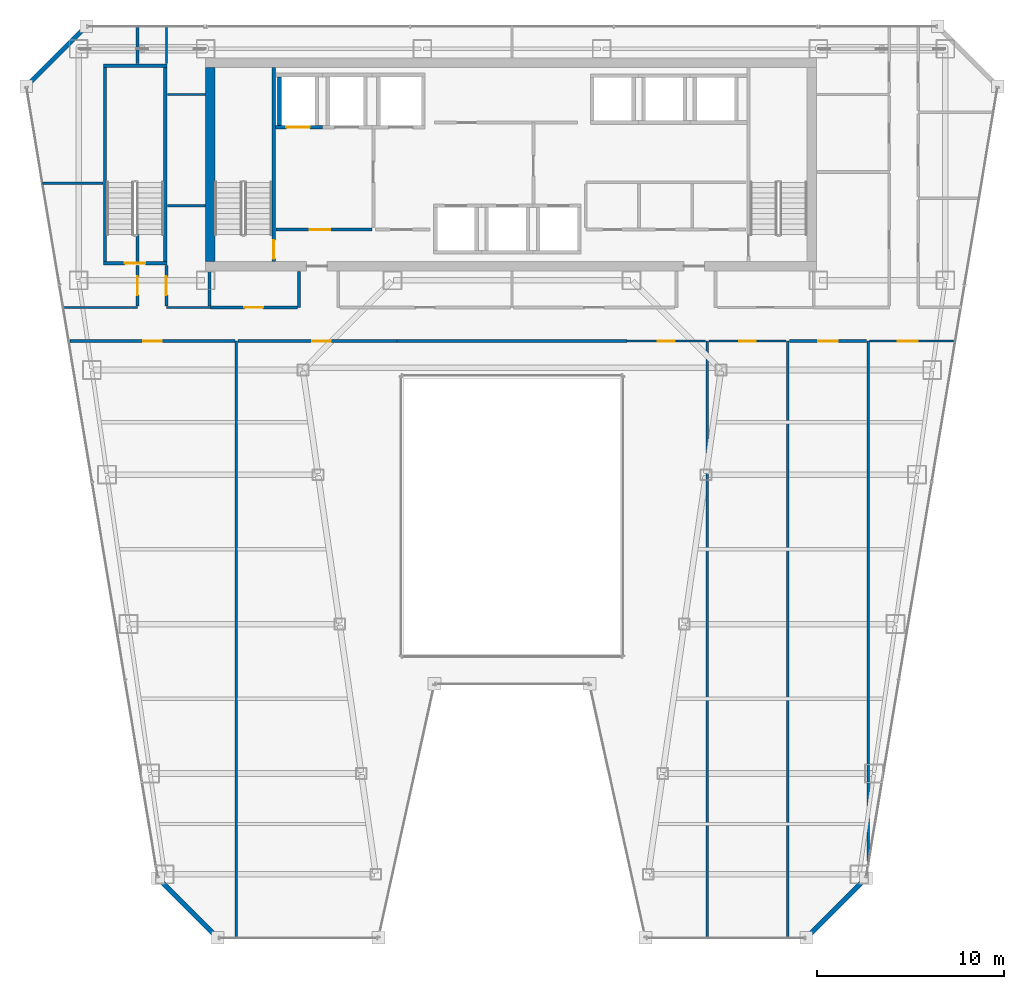
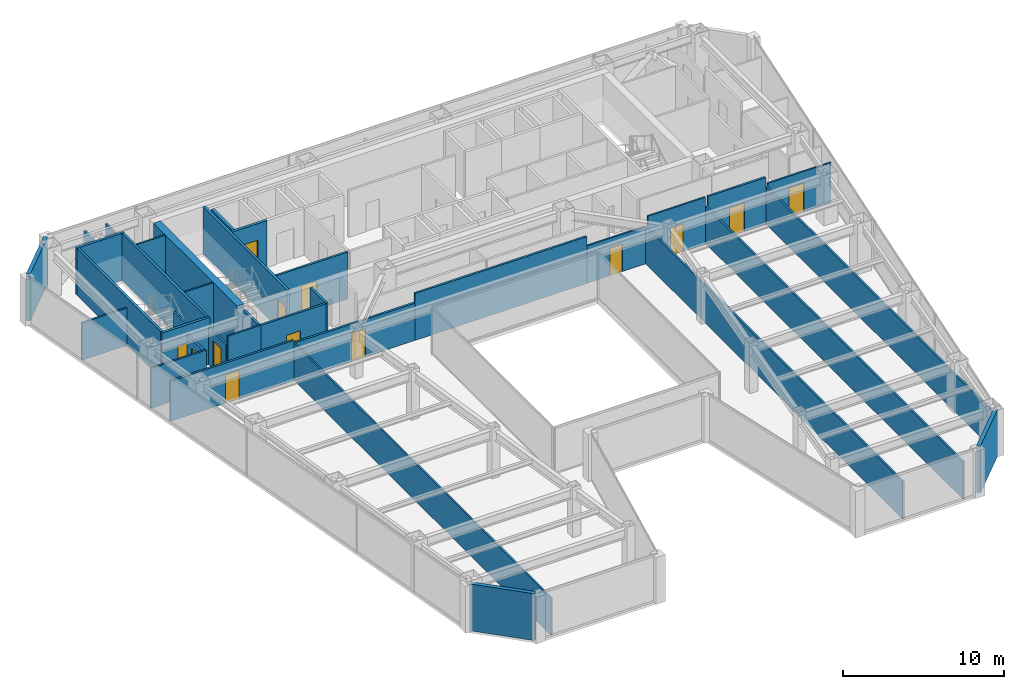
# One storey, part 31 of 37: 36 walls, 13 doors, 13 openings.
"""IFC4 building model written with IfcOpenShell, lengths in metres."""

from ifc_helpers import new_model, si_unit, direction, frame, frame_2d, origin, place, context, subcontext, project, spatial, rectangle, extrude, material, layer, layer_set, type_object, element, fill, save


model = new_model("IFC4")

# Units and contexts
model_context = context("Model", 3, precision=1e-05, world=origin(), true_north=direction((0.0, 1.0)))
body_context = subcontext(model_context, "Body", "Model", "MODEL_VIEW")
ifc_project = project(units=[si_unit("LENGTHUNIT", "METRE"), si_unit("AREAUNIT", "SQUARE_METRE"), si_unit("VOLUMEUNIT", "CUBIC_METRE"), si_unit("PLANEANGLEUNIT", "RADIAN"), si_unit("MASSUNIT", "GRAM", prefix="KILO")], contexts=[model_context])

# Site, building, storey
site_placement = place(None, origin())
site = spatial("IfcSite", under=ifc_project, at=site_placement, CompositionType="ELEMENT")
building_placement = place(site_placement, origin())
building = spatial("IfcBuilding", under=site, at=building_placement, Name="Saevonmaru Cultural Tower", CompositionType="ELEMENT")
storey_placement = place(building_placement, frame((0.0, 0.0, 144.800048828125)))
storey = spatial("IfcBuildingStorey", under=building, at=storey_placement, Name="L31", CompositionType="ELEMENT", Elevation=144.800048828125)

# Wall
ifc_material_1 = material(Name="Concrete C60/75", Category="concrete")
ifc_layer_1 = layer(ifc_material_1, 0.5, Name="Concrete C60/75")
ifc_layer_set_1 = layer_set([ifc_layer_1], Name="Concrete C60/75")
wall_type_1 = type_object("IfcWallType", Name="WL-CORE-500", PredefinedType="SHEAR", material=ifc_layer_set_1)
wall_1_placement = place(storey_placement, frame((13.85009765625, 43.39990234375, 0.0), z_axis=(0.0, 0.0, 1.0), x_axis=(0.0, 1.0, 0.0)))
element("IfcWall", 1, at=wall_1_placement, inside=storey, type_object=wall_type_1, Name="L31 Tower RC core shear wall W", PredefinedType="SHEAR", context=body_context, shape_type="SweptSolid", body=[
    extrude(rectangle(XDim=10.400146484375, YDim=0.5, at=frame_2d((5.2001953125, 0.0))), origin(), (0.0, 0.0, 1.0), 3.550048828125),
])

# Wall, opening, door
ifc_material_2 = material(Name="Gypsum Fireboard Partition", Category="gypsum")
ifc_layer_2 = layer(ifc_material_2, 0.14990234375, Name="Gypsum Fireboard Partition")
ifc_layer_set_2 = layer_set([ifc_layer_2], Name="Gypsum Fireboard Partition")
wall_type_2 = type_object("IfcWallType", Name="WL-CORE-PART-150", PredefinedType="PARTITIONING", material=ifc_layer_set_2)
wall_2_placement = place(storey_placement, frame((17.360107421875, 45.1201171875, 0.0), z_axis=(0.0, 0.0, 1.0), x_axis=(1.0, 0.0, 0.0)))
wall_2 = element("IfcWall", 2, at=wall_2_placement, inside=storey, type_object=wall_type_2, Name="L31 Firefighting Lift Lobby South Wall", PredefinedType="PARTITIONING", context=body_context, shape_type="SweptSolid", body=[
    extrude(rectangle(XDim=5.139892578125, YDim=0.14990234375, at=frame_2d((2.56982421875, 0.0))), origin(), (0.0, 0.0, 1.0), 3.550048828125),
])
opening_1_placement = place(wall_2_placement, frame((1.800048828125, 0.0, 0.0)))
opening_1 = element("IfcOpeningElement", 3, at=opening_1_placement, cuts=wall_2, Name="Opening FD-2", PredefinedType="OPENING", context=body_context, shape_type="SweptSolid", body=[
    extrude(rectangle(XDim=1.10009765625, YDim=2.14990234375, at=frame_2d((0.550048828125, 1.074951171875))), frame((0.0, 0.0849609375, 0.0), z_axis=(0.0, -1.0, 0.0), x_axis=(1.0, 0.0, 0.0)), (0.0, 0.0, 1.0), 0.169921875),
])
ifc_material_3 = material(Name="Satin Bronze Anodised Aluminium", Category="aluminium")
door_type_1 = type_object("IfcDoorType", Name="DR-FD60-1100", OperationType="SINGLE_SWING_LEFT", PredefinedType="DOOR", material=ifc_material_3)
door_1_placement = place(opening_1_placement, origin())
door_1 = element("IfcDoor", 4, at=door_1_placement, inside=storey, type_object=door_type_1, Name="L31 Firefighting Lift Lobby South Door", OperationType="SINGLE_SWING_LEFT", OverallHeight=2.14990234375, OverallWidth=1.10009765625, PredefinedType="DOOR", context=body_context, shape_type="SweptSolid", body=[
    extrude(rectangle(XDim=1.10009765625, YDim=2.14990234375, at=frame_2d((0.550048828125, 1.074951171875))), frame((0.0, 0.02490234375, 0.0), z_axis=(0.0, -1.0, 0.0), x_axis=(1.0, 0.0, 0.0)), (0.0, 0.0, 1.0), 0.050048828125),
])
fill(opening_1, door_1)

# Walls
ifc_material_4 = material(Name="Granite-Clad Precast Concrete C40/50", Category="masonry")
ifc_layer_3 = layer(ifc_material_4, 0.260009765625, Name="Granite-Clad Precast Concrete C40/50")
ifc_layer_set_3 = layer_set([ifc_layer_3], Name="Granite-Clad Precast Concrete C40/50")
wall_type_3 = type_object("IfcWallType", Name="WL-EXT-SPANDREL-260", PredefinedType="STANDARD", material=ifc_layer_set_3)
for number, where, z_axis, x_axis, name in (
    (5, (11.162109375, 10.286865234375, 0.0), (0.0, 0.0, 1.0), (0.70707775441, -0.707135806771, 0.0), "L31 Chamfer Corner Spandrel Wall E1"),
    (6, (45.8642578125, 7.31298828125, 0.0), (0.0, 0.0, 1.0), (0.70707775441, 0.707135806771, 0.0), "L31 Chamfer Corner Spandrel Wall E7"),
):
    element("IfcWall", number, at=place(storey_placement, frame(where, z_axis=z_axis, x_axis=x_axis)), inside=storey, type_object=wall_type_3, Name=name, PredefinedType="STANDARD", context=body_context, shape_type="SweptSolid", body=[
        extrude(rectangle(XDim=4.20556640625, YDim=0.260009765625, at=frame_2d((2.102783203125, 0.0))), origin(), (0.0, 0.0, 1.0), 3.550048828125),
    ])
wall_3_placement = place(storey_placement, frame((7.0869140625, 55.886962890625, 0.0), z_axis=(0.0, 0.0, 1.0), x_axis=(-0.707106781187, -0.707106781187, 0.0)))
element("IfcWall", 7, at=wall_3_placement, inside=storey, type_object=wall_type_3, Name="L31 Chamfer Corner Spandrel Wall E11", PredefinedType="STANDARD", context=body_context, shape_type="SweptSolid", body=[
    extrude(rectangle(XDim=4.205810546875, YDim=0.260009765625, at=frame_2d((2.10302734375, 0.0))), origin(), (0.0, 0.0, 1.0), 3.550048828125),
])

# Wall, opening, door
ifc_layer_4 = layer(ifc_material_2, 0.14990234375, Name="Gypsum Fireboard Partition")
ifc_layer_set_4 = layer_set([ifc_layer_4], Name="Gypsum Fireboard Partition")
wall_type_4 = type_object("IfcWallType", Name="WL-PART-FIRE-150", PredefinedType="PARTITIONING", material=ifc_layer_set_4)
wall_4_placement = place(storey_placement, frame((9.949951171875, 41.030029296875, 0.0), z_axis=(0.0, 0.0, 1.0), x_axis=(0.0, 1.0, 0.0)))
wall_4 = element("IfcWall", 8, at=wall_4_placement, inside=storey, type_object=wall_type_4, Name="L31 Acoustic Chamber Auditorium Corridor Wall", PredefinedType="PARTITIONING", context=body_context, shape_type="SweptSolid", body=[
    extrude(rectangle(XDim=2.169921875, YDim=0.14990234375, at=frame_2d((1.0849609375, 0.0))), origin(), (0.0, 0.0, 1.0), 2.8349609375),
])
opening_2_placement = place(wall_4_placement, frame((0.5849609375, 0.0, 0.0)))
opening_2 = element("IfcOpeningElement", 9, at=opening_2_placement, cuts=wall_4, Name="Opening ID-1B", PredefinedType="OPENING", context=body_context, shape_type="SweptSolid", body=[
    extrude(rectangle(XDim=1.0, YDim=2.14990234375, at=frame_2d((0.5, 1.074951171875))), frame((0.0, 0.0849609375, 0.0), z_axis=(0.0, -1.0, 0.0), x_axis=(1.0, 0.0, 0.0)), (0.0, 0.0, 1.0), 0.169921875),
])
ifc_material_5 = material(Name="Acoustic Stained Oak Timber", Category="wood")
door_type_2 = type_object("IfcDoorType", Name="DR-INT-1000", OperationType="SINGLE_SWING_RIGHT", PredefinedType="DOOR", material=ifc_material_5)
door_2_placement = place(opening_2_placement, origin())
door_2 = element("IfcDoor", 10, at=door_2_placement, inside=storey, type_object=door_type_2, Name="L31 Acoustic Chamber Auditorium Door", OperationType="SINGLE_SWING_LEFT", OverallHeight=2.14990234375, OverallWidth=1.0, PredefinedType="DOOR", context=body_context, shape_type="SweptSolid", body=[
    extrude(rectangle(XDim=1.0, YDim=2.14990234375, at=frame_2d((0.5, 1.074951171875))), frame((0.0, 0.02490234375, 0.0), z_axis=(0.0, -1.0, 0.0), x_axis=(1.0, 0.0, 0.0)), (0.0, 0.0, 1.0), 0.050048828125),
])
fill(opening_2, door_2)

# Walls
wall_5_placement = place(storey_placement, frame((9.949951171875, 43.419921875, 0.0), z_axis=(0.0, 0.0, 1.0), x_axis=(0.0, 1.0, 0.0)))
element("IfcWall", 11, at=wall_5_placement, inside=storey, type_object=wall_type_4, Name="L31 Acoustic Chamber Auditorium Corridor Wall (2)", PredefinedType="PARTITIONING", context=body_context, shape_type="SweptSolid", body=[
    extrude(rectangle(XDim=1.4501953125, YDim=0.14990234375, at=frame_2d((0.72509765625, 0.0))), origin(), (0.0, 0.0, 1.0), 3.550048828125),
])
wall_6_placement = place(storey_placement, frame((9.949951171875, 54.0, 0.0), z_axis=(0.0, 0.0, 1.0), x_axis=(0.0, 1.0, 0.0)))
element("IfcWall", 12, at=wall_6_placement, inside=storey, type_object=wall_type_4, Name="L31 Sound Art Screening Auditorium Corridor Wall", PredefinedType="PARTITIONING", context=body_context, shape_type="SweptSolid", body=[
    extrude(rectangle(XDim=1.9951171875, YDim=0.14990234375, at=frame_2d((0.99755859375, 0.0))), origin(), (0.0, 0.0, 1.0), 2.93505859375),
])

# Wall, opening, door
wall_7_placement = place(storey_placement, frame((11.5, 41.030029296875, 0.0), z_axis=(0.0, 0.0, 1.0), x_axis=(0.0, 1.0, 0.0)))
wall_7 = element("IfcWall", 13, at=wall_7_placement, inside=storey, type_object=wall_type_4, Name="L31 Sound Art Screening Auditorium Corridor Wall", PredefinedType="PARTITIONING", context=body_context, shape_type="SweptSolid", body=[
    extrude(rectangle(XDim=2.169921875, YDim=0.14990234375, at=frame_2d((1.0849609375, 0.0))), origin(), (0.0, 0.0, 1.0), 2.8349609375),
])
opening_3_placement = place(wall_7_placement, frame((0.5849609375, 0.0, 0.0)))
opening_3 = element("IfcOpeningElement", 14, at=opening_3_placement, cuts=wall_7, Name="Opening ID-1B", PredefinedType="OPENING", context=body_context, shape_type="SweptSolid", body=[
    extrude(rectangle(XDim=1.0, YDim=2.14990234375, at=frame_2d((0.5, 1.074951171875))), frame((0.0, 0.0849609375, 0.0), z_axis=(0.0, -1.0, 0.0), x_axis=(1.0, 0.0, 0.0)), (0.0, 0.0, 1.0), 0.169921875),
])
door_3_placement = place(opening_3_placement, origin())
door_3 = element("IfcDoor", 15, at=door_3_placement, inside=storey, type_object=door_type_2, Name="L31 Sound Art Screening Auditorium Door", OperationType="SINGLE_SWING_RIGHT", OverallHeight=2.14990234375, OverallWidth=1.0, PredefinedType="DOOR", context=body_context, shape_type="SweptSolid", body=[
    extrude(rectangle(XDim=1.0, YDim=2.14990234375, at=frame_2d((0.5, 1.074951171875))), frame((0.0, 0.02490234375, 0.0), z_axis=(0.0, -1.0, 0.0), x_axis=(1.0, 0.0, 0.0)), (0.0, 0.0, 1.0), 0.050048828125),
])
fill(opening_3, door_3)

# Walls
wall_8_placement = place(storey_placement, frame((13.800048828125, 41.030029296875, 0.0), z_axis=(0.0, 0.0, 1.0), x_axis=(0.0, 1.0, 0.0)))
element("IfcWall", 16, at=wall_8_placement, inside=storey, type_object=wall_type_4, Name="L31 Core Portal Side Wall W0", PredefinedType="PARTITIONING", context=body_context, shape_type="SweptSolid", body=[
    extrude(rectangle(XDim=1.849853515625, YDim=0.14990234375, at=frame_2d((0.9248046875, 0.0))), origin(), (0.0, 0.0, 1.0), 3.550048828125),
])
wall_9_placement = place(storey_placement, frame((18.60009765625, 40.949951171875, 0.0), z_axis=(0.0, 0.0, 1.0), x_axis=(0.0, 1.0, 0.0)))
element("IfcWall", 17, at=wall_9_placement, inside=storey, type_object=wall_type_4, Name="L31 Core Portal Side Wall W1", PredefinedType="PARTITIONING", context=body_context, shape_type="SweptSolid", body=[
    extrude(rectangle(XDim=1.929931640625, YDim=0.14990234375, at=frame_2d((0.96484375, 0.0))), origin(), (0.0, 0.0, 1.0), 3.550048828125),
])

# Wall, opening, door
wall_10_placement = place(storey_placement, frame((13.85009765625, 40.949951171875, 0.0), z_axis=(0.0, 0.0, 1.0), x_axis=(1.0, 0.0, 0.0)))
wall_10 = element("IfcWall", 18, at=wall_10_placement, inside=storey, type_object=wall_type_4, Name="L31 Acoustic Chamber Auditorium Corridor Wall", PredefinedType="PARTITIONING", context=body_context, shape_type="SweptSolid", body=[
    extrude(rectangle(XDim=4.65478515625, YDim=0.14990234375, at=frame_2d((2.327392578125, 0.0))), origin(), (0.0, 0.0, 1.0), 3.550048828125),
])
opening_4_placement = place(wall_10_placement, frame((1.826904296875, 0.0, 0.0)))
opening_4 = element("IfcOpeningElement", 19, at=opening_4_placement, cuts=wall_10, Name="Opening ID-1B", PredefinedType="OPENING", context=body_context, shape_type="SweptSolid", body=[
    extrude(rectangle(XDim=1.0, YDim=2.14990234375, at=frame_2d((0.5, 1.074951171875))), frame((0.0, 0.0849609375, 0.0), z_axis=(0.0, -1.0, 0.0), x_axis=(1.0, 0.0, 0.0)), (0.0, 0.0, 1.0), 0.169921875),
])
door_4_placement = place(opening_4_placement, origin())
door_4 = element("IfcDoor", 20, at=door_4_placement, inside=storey, type_object=door_type_2, Name="L31 Acoustic Chamber Auditorium Door", OperationType="SINGLE_SWING_RIGHT", OverallHeight=2.14990234375, OverallWidth=1.0, PredefinedType="DOOR", context=body_context, shape_type="SweptSolid", body=[
    extrude(rectangle(XDim=1.0, YDim=2.14990234375, at=frame_2d((0.5, 1.074951171875))), frame((0.0, 0.02490234375, 0.0), z_axis=(0.0, -1.0, 0.0), x_axis=(1.0, 0.0, 0.0)), (0.0, 0.0, 1.0), 0.050048828125),
])
fill(opening_4, door_4)

wall_11_placement = place(storey_placement, frame((6.333984375, 39.14990234375, 0.0), z_axis=(0.0, 0.0, 1.0), x_axis=(1.0, 0.0, 0.0)))
wall_11 = element("IfcWall", 21, at=wall_11_placement, inside=storey, type_object=wall_type_4, Name="L31 Acoustic Chamber Auditorium Corridor Wall", PredefinedType="PARTITIONING", context=body_context, shape_type="SweptSolid", body=[
    extrude(rectangle(XDim=8.825927734375, YDim=0.14990234375, at=frame_2d((4.4130859375, 0.0))), origin(), (0.0, 0.0, 1.0), 3.034912109375),
])
opening_5_placement = place(wall_11_placement, frame((3.9130859375, 0.0, 0.0)))
opening_5 = element("IfcOpeningElement", 22, at=opening_5_placement, cuts=wall_11, Name="Opening ID-1B", PredefinedType="OPENING", context=body_context, shape_type="SweptSolid", body=[
    extrude(rectangle(XDim=1.0, YDim=2.14990234375, at=frame_2d((0.5, 1.074951171875))), frame((0.0, 0.0849609375, 0.0), z_axis=(0.0, -1.0, 0.0), x_axis=(1.0, 0.0, 0.0)), (0.0, 0.0, 1.0), 0.169921875),
])
door_5_placement = place(opening_5_placement, origin())
door_5 = element("IfcDoor", 23, at=door_5_placement, inside=storey, type_object=door_type_2, Name="L31 Acoustic Chamber Auditorium Door", OperationType="SINGLE_SWING_RIGHT", OverallHeight=2.14990234375, OverallWidth=1.0, PredefinedType="DOOR", context=body_context, shape_type="SweptSolid", body=[
    extrude(rectangle(XDim=1.0, YDim=2.14990234375, at=frame_2d((0.5, 1.074951171875))), frame((0.0, 0.02490234375, 0.0), z_axis=(0.0, -1.0, 0.0), x_axis=(1.0, 0.0, 0.0)), (0.0, 0.0, 1.0), 0.050048828125),
])
fill(opening_5, door_5)

wall_12_placement = place(storey_placement, frame((15.320068359375, 39.14990234375, 0.0), z_axis=(0.0, 0.0, 1.0), x_axis=(1.0, 0.0, 0.0)))
wall_12 = element("IfcWall", 24, at=wall_12_placement, inside=storey, type_object=wall_type_4, Name="L31 Sound Art Screening Auditorium Corridor Wall", PredefinedType="PARTITIONING", context=body_context, shape_type="SweptSolid", body=[
    extrude(rectangle(XDim=8.530029296875, YDim=0.14990234375, at=frame_2d((4.26513671875, 0.0))), origin(), (0.0, 0.0, 1.0), 2.8349609375),
])
opening_6_placement = place(wall_12_placement, frame((3.985107421875, 0.0, 0.0)))
opening_6 = element("IfcOpeningElement", 25, at=opening_6_placement, cuts=wall_12, Name="Opening ID-1B", PredefinedType="OPENING", context=body_context, shape_type="SweptSolid", body=[
    extrude(rectangle(XDim=1.0, YDim=2.14990234375, at=frame_2d((0.5, 1.074951171875))), frame((0.0, 0.0849609375, 0.0), z_axis=(0.0, -1.0, 0.0), x_axis=(1.0, 0.0, 0.0)), (0.0, 0.0, 1.0), 0.169921875),
])
door_6_placement = place(opening_6_placement, origin())
door_6 = element("IfcDoor", 26, at=door_6_placement, inside=storey, type_object=door_type_2, Name="L31 Sound Art Screening Auditorium Door", OperationType="SINGLE_SWING_LEFT", OverallHeight=2.14990234375, OverallWidth=1.0, PredefinedType="DOOR", context=body_context, shape_type="SweptSolid", body=[
    extrude(rectangle(XDim=1.0, YDim=2.14990234375, at=frame_2d((0.5, 1.074951171875))), frame((0.0, 0.02490234375, 0.0), z_axis=(0.0, -1.0, 0.0), x_axis=(1.0, 0.0, 0.0)), (0.0, 0.0, 1.0), 0.050048828125),
])
fill(opening_6, door_6)

# Wall
wall_13_placement = place(storey_placement, frame((23.85009765625, 39.14990234375, 0.0), z_axis=(0.0, 0.0, 1.0), x_axis=(1.0, 0.0, 0.0)))
element("IfcWall", 27, at=wall_13_placement, inside=storey, type_object=wall_type_4, Name="L31 North Atrium Corridor Wall", PredefinedType="PARTITIONING", context=body_context, shape_type="SweptSolid", body=[
    extrude(rectangle(XDim=12.2998046875, YDim=0.14990234375, at=frame_2d((6.14990234375, 0.0))), origin(), (0.0, 0.0, 1.0), 3.550048828125),
])

# Wall, opening, door
wall_14_placement = place(storey_placement, frame((44.847412109375, 39.14990234375, 0.0), z_axis=(0.0, 0.0, 1.0), x_axis=(1.0, 0.0, 0.0)))
wall_14 = element("IfcWall", 28, at=wall_14_placement, inside=storey, type_object=wall_type_4, Name="L31 Sky Observatory Gallery Corridor Wall", PredefinedType="PARTITIONING", context=body_context, shape_type="SweptSolid", body=[
    extrude(rectangle(XDim=4.125, YDim=0.14990234375, at=frame_2d((2.0625, 0.0))), origin(), (0.0, 0.0, 1.0), 3.550048828125),
])
opening_7_placement = place(wall_14_placement, frame((1.5380859375, 0.0, 0.0)))
opening_7 = element("IfcOpeningElement", 29, at=opening_7_placement, cuts=wall_14, Name="Opening ID-1", PredefinedType="OPENING", context=body_context, shape_type="SweptSolid", body=[
    extrude(rectangle(XDim=1.050048828125, YDim=2.14990234375, at=frame_2d((0.52490234375, 1.074951171875))), frame((0.0, 0.0849609375, 0.0), z_axis=(0.0, -1.0, 0.0), x_axis=(1.0, 0.0, 0.0)), (0.0, 0.0, 1.0), 0.169921875),
])
door_type_3 = type_object("IfcDoorType", Name="DR-INT-1050", OperationType="SINGLE_SWING_LEFT", PredefinedType="DOOR", material=ifc_material_3)
door_7_placement = place(opening_7_placement, origin())
door_7 = element("IfcDoor", 30, at=door_7_placement, inside=storey, type_object=door_type_3, Name="L31 Sky Observatory Gallery Door", OperationType="SINGLE_SWING_RIGHT", OverallHeight=2.14990234375, OverallWidth=1.050048828125, PredefinedType="DOOR", context=body_context, shape_type="SweptSolid", body=[
    extrude(rectangle(XDim=1.050048828125, YDim=2.14990234375, at=frame_2d((0.52490234375, 1.074951171875))), frame((0.0, 0.02490234375, 0.0), z_axis=(0.0, -1.0, 0.0), x_axis=(1.0, 0.0, 0.0)), (0.0, 0.0, 1.0), 0.050048828125),
])
fill(opening_7, door_7)

# Walls
ifc_layer_5 = layer(ifc_material_2, 0.1201171875, Name="Gypsum Fireboard Partition")
ifc_layer_set_5 = layer_set([ifc_layer_5], Name="Gypsum Fireboard Partition")
wall_type_5 = type_object("IfcWallType", Name="WL-PART-GYP-120", PredefinedType="PARTITIONING", material=ifc_layer_set_5)
wall_15_placement = place(storey_placement, frame((5.97509765625, 40.949951171875, 0.0), z_axis=(0.0, 0.0, 1.0), x_axis=(1.0, 0.0, 0.0)))
element("IfcWall", 31, at=wall_15_placement, inside=storey, type_object=wall_type_5, Name="L31 NW Wing South Wall", PredefinedType="PARTITIONING", context=body_context, shape_type="SweptSolid", body=[
    extrude(rectangle(XDim=3.974853515625, YDim=0.1201171875, at=frame_2d((1.9873046875, 0.0))), origin(), (0.0, 0.0, 1.0), 3.034912109375),
])
wall_16_placement = place(storey_placement, frame((11.5, 40.949951171875, 0.0), z_axis=(0.0, 0.0, 1.0), x_axis=(1.0, 0.0, 0.0)))
element("IfcWall", 32, at=wall_16_placement, inside=storey, type_object=wall_type_5, Name="L31 NW Inner South Wall", PredefinedType="PARTITIONING", context=body_context, shape_type="SweptSolid", body=[
    extrude(rectangle(XDim=2.35009765625, YDim=0.1201171875, at=frame_2d((1.175048828125, 0.0))), origin(), (0.0, 0.0, 1.0), 3.550048828125),
])
wall_17_placement = place(storey_placement, frame((11.550048828125, 52.35009765625, 0.0), z_axis=(0.0, 0.0, 1.0), x_axis=(1.0, 0.0, 0.0)))
element("IfcWall", 33, at=wall_17_placement, inside=storey, type_object=wall_type_5, Name="L31 North-West Panorama South Wall", PredefinedType="PARTITIONING", context=body_context, shape_type="SweptSolid", body=[
    extrude(rectangle(XDim=2.030029296875, YDim=0.1201171875, at=frame_2d((1.01513671875, 0.0))), origin(), (0.0, 0.0, 1.0), 3.550048828125),
])
wall_18_placement = place(storey_placement, frame((11.5, 54.0, 0.0), z_axis=(0.0, 0.0, 1.0), x_axis=(0.0, 1.0, 0.0)))
element("IfcWall", 34, at=wall_18_placement, inside=storey, type_object=wall_type_5, Name="L31 Civic Policy Meeting Room Corridor Wall", PredefinedType="PARTITIONING", context=body_context, shape_type="SweptSolid", body=[
    extrude(rectangle(XDim=1.9951171875, YDim=0.1201171875, at=frame_2d((0.99755859375, 0.0))), origin(), (0.0, 0.0, 1.0), 2.93505859375),
])
wall_19_placement = place(storey_placement, frame((4.86962890625, 47.60009765625, 0.0), z_axis=(0.0, 0.0, 1.0), x_axis=(1.0, 0.0, 0.0)))
element("IfcWall", 35, at=wall_19_placement, inside=storey, type_object=wall_type_5, Name="L31 NW Studio Divider 1", PredefinedType="PARTITIONING", context=body_context, shape_type="SweptSolid", body=[
    extrude(rectangle(XDim=3.23046875, YDim=0.1201171875, at=frame_2d((1.615234375, 0.0))), origin(), (0.0, 0.0, 1.0), 2.8349609375),
])
wall_20_placement = place(storey_placement, frame((11.550048828125, 46.39990234375, 0.0), z_axis=(0.0, 0.0, 1.0), x_axis=(1.0, 0.0, 0.0)))
element("IfcWall", 36, at=wall_20_placement, inside=storey, type_object=wall_type_5, Name="L31 NW Inner Divider", PredefinedType="PARTITIONING", context=body_context, shape_type="SweptSolid", body=[
    extrude(rectangle(XDim=2.030029296875, YDim=0.1201171875, at=frame_2d((1.01513671875, 0.0))), origin(), (0.0, 0.0, 1.0), 3.550048828125),
])
wall_21_placement = place(storey_placement, frame((15.239990234375, 7.205078125, 0.0), z_axis=(0.0, 0.0, 1.0), x_axis=(0.0, 1.0, 0.0)))
element("IfcWall", 37, at=wall_21_placement, inside=storey, type_object=wall_type_5, Name="L31 West Bay Divider 1", PredefinedType="PARTITIONING", context=body_context, shape_type="SweptSolid", body=[
    extrude(rectangle(XDim=31.94482421875, YDim=0.1201171875, at=frame_2d((15.972412109375, 0.0))), origin(), (0.0, 0.0, 1.0), 2.8349609375),
])

# Wall, opening, door
wall_22_placement = place(storey_placement, frame((36.14990234375, 39.14990234375, 0.0), z_axis=(0.0, 0.0, 1.0), x_axis=(1.0, 0.0, 0.0)))
wall_22 = element("IfcWall", 38, at=wall_22_placement, inside=storey, type_object=wall_type_5, Name="L31 Civic Policy Meeting Room Corridor Wall", PredefinedType="PARTITIONING", context=body_context, shape_type="SweptSolid", body=[
    extrude(rectangle(XDim=4.212646484375, YDim=0.1201171875, at=frame_2d((2.1064453125, 0.0))), origin(), (0.0, 0.0, 1.0), 2.8349609375),
])
opening_8_placement = place(wall_22_placement, frame((1.656005859375, 0.0, 0.0)))
opening_8 = element("IfcOpeningElement", 39, at=opening_8_placement, cuts=wall_22, Name="Opening ID-2", PredefinedType="OPENING", context=body_context, shape_type="SweptSolid", body=[
    extrude(rectangle(XDim=0.89990234375, YDim=2.10009765625, at=frame_2d((0.449951171875, 1.050048828125))), frame((0.0, 0.070068359375, 0.0), z_axis=(0.0, -1.0, 0.0), x_axis=(1.0, 0.0, 0.0)), (0.0, 0.0, 1.0), 0.14013671875),
])
door_type_4 = type_object("IfcDoorType", Name="DR-INT-900", OperationType="SINGLE_SWING_RIGHT", PredefinedType="DOOR", material=ifc_material_5)
door_8_placement = place(opening_8_placement, origin())
door_8 = element("IfcDoor", 40, at=door_8_placement, inside=storey, type_object=door_type_4, Name="L31 Civic Policy Meeting Room Door", OperationType="SINGLE_SWING_RIGHT", OverallHeight=2.10009765625, OverallWidth=0.89990234375, PredefinedType="DOOR", context=body_context, shape_type="SweptSolid", body=[
    extrude(rectangle(XDim=0.89990234375, YDim=2.10009765625, at=frame_2d((0.449951171875, 1.050048828125))), frame((0.0, 0.02490234375, 0.0), z_axis=(0.0, -1.0, 0.0), x_axis=(1.0, 0.0, 0.0)), (0.0, 0.0, 1.0), 0.050048828125),
])
fill(opening_8, door_8)

wall_23_placement = place(storey_placement, frame((40.53759765625, 39.14990234375, 0.0), z_axis=(0.0, 0.0, 1.0), x_axis=(1.0, 0.0, 0.0)))
wall_23 = element("IfcWall", 41, at=wall_23_placement, inside=storey, type_object=wall_type_5, Name="L31 Scholarly Colloquium Meeting Room Corridor Wall", PredefinedType="PARTITIONING", context=body_context, shape_type="SweptSolid", body=[
    extrude(rectangle(XDim=4.135009765625, YDim=0.1201171875, at=frame_2d((2.0673828125, 0.0))), origin(), (0.0, 0.0, 1.0), 3.550048828125),
])
opening_9_placement = place(wall_23_placement, frame((1.616943359375, 0.0, 0.0)))
opening_9 = element("IfcOpeningElement", 42, at=opening_9_placement, cuts=wall_23, Name="Opening ID-2", PredefinedType="OPENING", context=body_context, shape_type="SweptSolid", body=[
    extrude(rectangle(XDim=0.89990234375, YDim=2.10009765625, at=frame_2d((0.449951171875, 1.050048828125))), frame((0.0, 0.070068359375, 0.0), z_axis=(0.0, -1.0, 0.0), x_axis=(1.0, 0.0, 0.0)), (0.0, 0.0, 1.0), 0.14013671875),
])
door_9_placement = place(opening_9_placement, origin())
door_9 = element("IfcDoor", 43, at=door_9_placement, inside=storey, type_object=door_type_4, Name="L31 Scholarly Colloquium Meeting Room Door", OperationType="SINGLE_SWING_LEFT", OverallHeight=2.10009765625, OverallWidth=0.89990234375, PredefinedType="DOOR", context=body_context, shape_type="SweptSolid", body=[
    extrude(rectangle(XDim=0.89990234375, YDim=2.10009765625, at=frame_2d((0.449951171875, 1.050048828125))), frame((0.0, 0.02490234375, 0.0), z_axis=(0.0, -1.0, 0.0), x_axis=(1.0, 0.0, 0.0)), (0.0, 0.0, 1.0), 0.050048828125),
])
fill(opening_9, door_9)

wall_24_placement = place(storey_placement, frame((49.1474609375, 39.14990234375, 0.0), z_axis=(0.0, 0.0, 1.0), x_axis=(1.0, 0.0, 0.0)))
wall_24 = element("IfcWall", 44, at=wall_24_placement, inside=storey, type_object=wall_type_5, Name="L31 Panorama Reading Room Corridor Wall", PredefinedType="PARTITIONING", context=body_context, shape_type="SweptSolid", body=[
    extrude(rectangle(XDim=4.5185546875, YDim=0.1201171875, at=frame_2d((2.25927734375, 0.0))), origin(), (0.0, 0.0, 1.0), 3.034912109375),
])
opening_10_placement = place(wall_24_placement, frame((1.513916015625, 0.0, 0.0)))
opening_10 = element("IfcOpeningElement", 45, at=opening_10_placement, cuts=wall_24, Name="Opening ID-1", PredefinedType="OPENING", context=body_context, shape_type="SweptSolid", body=[
    extrude(rectangle(XDim=1.050048828125, YDim=2.14990234375, at=frame_2d((0.52490234375, 1.074951171875))), frame((0.0, 0.070068359375, 0.0), z_axis=(0.0, -1.0, 0.0), x_axis=(1.0, 0.0, 0.0)), (0.0, 0.0, 1.0), 0.14013671875),
])
door_10_placement = place(opening_10_placement, origin())
door_10 = element("IfcDoor", 46, at=door_10_placement, inside=storey, type_object=door_type_3, Name="L31 Panorama Reading Room Door", OperationType="SINGLE_SWING_LEFT", OverallHeight=2.14990234375, OverallWidth=1.050048828125, PredefinedType="DOOR", context=body_context, shape_type="SweptSolid", body=[
    extrude(rectangle(XDim=1.050048828125, YDim=2.14990234375, at=frame_2d((0.52490234375, 1.074951171875))), frame((0.0, 0.02490234375, 0.0), z_axis=(0.0, -1.0, 0.0), x_axis=(1.0, 0.0, 0.0)), (0.0, 0.0, 1.0), 0.050048828125),
])
fill(opening_10, door_10)

# Walls
ifc_layer_6 = layer(ifc_material_2, 0.135009765625, Name="Gypsum Fireboard Partition")
ifc_layer_set_6 = layer_set([ifc_layer_6], Name="Gypsum Fireboard Partition")
wall_type_6 = type_object("IfcWallType", Name="WL-PART-GYP-135", PredefinedType="PARTITIONING", material=ifc_layer_set_6)
for number, where, z_axis, x_axis, name in (
    (47, (40.449951171875, 7.205078125, 0.0), (0.0, 0.0, 1.0), (0.0, 1.0, 0.0), "L31 East Bay Divider 1"),
    (48, (44.760009765625, 7.205078125, 0.0), (0.0, 0.0, 1.0), (0.0, 1.0, 0.0), "L31 East Bay Divider 2"),
):
    element("IfcWall", number, at=place(storey_placement, frame(where, z_axis=z_axis, x_axis=x_axis)), inside=storey, type_object=wall_type_6, Name=name, PredefinedType="PARTITIONING", context=body_context, shape_type="SweptSolid", body=[
        extrude(rectangle(XDim=31.94482421875, YDim=0.135009765625, at=frame_2d((15.972412109375, 0.0))), origin(), (0.0, 0.0, 1.0), 2.8349609375),
    ])
wall_25_placement = place(storey_placement, frame((49.06005859375, 11.08544921875, 0.0), z_axis=(0.0, 0.0, 1.0), x_axis=(0.0, 1.0, 0.0)))
element("IfcWall", 49, at=wall_25_placement, inside=storey, type_object=wall_type_6, Name="L31 East Bay Divider 3", PredefinedType="PARTITIONING", context=body_context, shape_type="SweptSolid", body=[
    extrude(rectangle(XDim=28.064453125, YDim=0.135009765625, at=frame_2d((14.0322265625, 0.0))), origin(), (0.0, 0.0, 1.0), 2.8349609375),
])

# Wall, opening, door
ifc_material_6 = material(Name="Concrete C40/50", Category="concrete")
ifc_layer_7 = layer(ifc_material_6, 0.199951171875, Name="Concrete C40/50")
ifc_layer_set_7 = layer_set([ifc_layer_7], Name="Concrete C40/50")
wall_type_7 = type_object("IfcWallType", Name="WL-SHAFT-200", PredefinedType="SHEAR", material=ifc_layer_set_7)
wall_26_placement = place(storey_placement, frame((17.330078125, 50.60009765625, 0.0), z_axis=(0.0, 0.0, 1.0), x_axis=(1.0, 0.0, 0.0)))
wall_26 = element("IfcWall", 50, at=wall_26_placement, inside=storey, type_object=wall_type_7, Name="L31 Lift FFL-1 Hoistway Wall S", PredefinedType="SHEAR", context=body_context, shape_type="SweptSolid", body=[
    extrude(rectangle(XDim=2.52001953125, YDim=0.199951171875, at=frame_2d((1.260009765625, 0.0))), origin(), (0.0, 0.0, 1.0), 3.550048828125),
])
opening_11_placement = place(wall_26_placement, frame((0.594970703125, 0.0, 0.0)))
opening_11 = element("IfcOpeningElement", 51, at=opening_11_placement, cuts=wall_26, Name="Opening LD-2", PredefinedType="OPENING", context=body_context, shape_type="SweptSolid", body=[
    extrude(rectangle(XDim=1.25, YDim=2.300048828125, at=frame_2d((0.625, 1.14990234375))), frame((0.0, 0.10986328125, 0.0), z_axis=(0.0, -1.0, 0.0), x_axis=(1.0, 0.0, 0.0)), (0.0, 0.0, 1.0), 0.219970703125),
])
ifc_material_7 = material(Name="Stainless Steel 316", Category="steel")
door_type_5 = type_object("IfcDoorType", Name="DR-LIFT-1250", OperationType="SLIDING_TO_LEFT", PredefinedType="DOOR", material=ifc_material_7)
door_11_placement = place(opening_11_placement, origin())
door_11 = element("IfcDoor", 52, at=door_11_placement, inside=storey, type_object=door_type_5, Name="L31 Lift FFL-1 Sliding Landing Door", OperationType="SLIDING_TO_LEFT", OverallHeight=2.300048828125, OverallWidth=1.25, PredefinedType="DOOR", context=body_context, shape_type="SweptSolid", body=[
    extrude(rectangle(XDim=1.25, YDim=2.300048828125, at=frame_2d((0.625, 1.14990234375))), frame((0.0, 0.02490234375, 0.0), z_axis=(0.0, -1.0, 0.0), x_axis=(1.0, 0.0, 0.0)), (0.0, 0.0, 1.0), 0.050048828125),
])
fill(opening_11, door_11)

# Wall
wall_27_placement = place(storey_placement, frame((17.550048828125, 50.699951171875, 0.0), z_axis=(0.0, 0.0, 1.0), x_axis=(0.0, 1.0, 0.0)))
element("IfcWall", 53, at=wall_27_placement, inside=storey, type_object=wall_type_7, Name="L31 Lift FFL-1 Hoistway Wall W", PredefinedType="SHEAR", context=body_context, shape_type="SweptSolid", body=[
    extrude(rectangle(XDim=2.60009765625, YDim=0.199951171875, at=frame_2d((1.300048828125, 0.0))), origin(), (0.0, 0.0, 1.0), 3.550048828125),
])

# Wall, opening, door
ifc_layer_8 = layer(ifc_material_6, 0.179931640625, Name="Concrete C40/50")
ifc_layer_set_8 = layer_set([ifc_layer_8], Name="Concrete C40/50")
wall_type_8 = type_object("IfcWallType", Name="WL-STSHAFT-180", PredefinedType="SHEAR", material=ifc_layer_set_8)
wall_28_placement = place(storey_placement, frame((17.239990234375, 43.39990234375, 0.0), z_axis=(0.0, 0.0, 1.0), x_axis=(0.0, 1.0, 0.0)))
wall_28 = element("IfcWall", 54, at=wall_28_placement, inside=storey, type_object=wall_type_8, Name="L31 Stair ST-1 Structural Shaft Wall 1", PredefinedType="SHEAR", context=body_context, shape_type="SweptSolid", body=[
    extrude(rectangle(XDim=10.400146484375, YDim=0.179931640625, at=frame_2d((5.2001953125, 0.0))), origin(), (0.0, 0.0, 1.0), 3.550048828125),
])
opening_12_placement = place(wall_28_placement, frame((0.159912109375, 0.0, 0.0)))
opening_12 = element("IfcOpeningElement", 55, at=opening_12_placement, cuts=wall_28, Name="Opening FD-3", PredefinedType="OPENING", context=body_context, shape_type="SweptSolid", body=[
    extrude(rectangle(XDim=1.0, YDim=2.14990234375, at=frame_2d((0.5, 1.074951171875))), frame((0.0, 0.10009765625, 0.0), z_axis=(0.0, -1.0, 0.0), x_axis=(1.0, 0.0, 0.0)), (0.0, 0.0, 1.0), 0.199951171875),
])
door_type_6 = type_object("IfcDoorType", Name="DR-FD60-1000", OperationType="SINGLE_SWING_RIGHT", PredefinedType="DOOR", material=ifc_material_3)
door_12_placement = place(opening_12_placement, origin())
door_12 = element("IfcDoor", 56, at=door_12_placement, inside=storey, type_object=door_type_6, Name="L31 Protected Stair ST-1 Fire Door", OperationType="SINGLE_SWING_RIGHT", OverallHeight=2.14990234375, OverallWidth=1.0, PredefinedType="DOOR", context=body_context, shape_type="SweptSolid", body=[
    extrude(rectangle(XDim=1.0, YDim=2.14990234375, at=frame_2d((0.5, 1.074951171875))), frame((0.0, 0.02490234375, 0.0), z_axis=(0.0, -1.0, 0.0), x_axis=(1.0, 0.0, 0.0)), (0.0, 0.0, 1.0), 0.050048828125),
])
fill(opening_12, door_12)

wall_29_placement = place(storey_placement, frame((8.1201171875, 43.31005859375, 0.0), z_axis=(0.0, 0.0, 1.0), x_axis=(1.0, 0.0, 0.0)))
wall_29 = element("IfcWall", 57, at=wall_29_placement, inside=storey, type_object=wall_type_8, Name="L31 Stair ST-3 Structural Shaft Wall 1", PredefinedType="SHEAR", context=body_context, shape_type="SweptSolid", body=[
    extrude(rectangle(XDim=3.409912109375, YDim=0.179931640625, at=frame_2d((1.705078125, 0.0))), origin(), (0.0, 0.0, 1.0), 3.550048828125),
])
opening_13_placement = place(wall_29_placement, frame((1.14990234375, 0.0, 0.0)))
opening_13 = element("IfcOpeningElement", 58, at=opening_13_placement, cuts=wall_29, Name="Opening FD-2", PredefinedType="OPENING", context=body_context, shape_type="SweptSolid", body=[
    extrude(rectangle(XDim=1.10009765625, YDim=2.14990234375, at=frame_2d((0.550048828125, 1.074951171875))), frame((0.0, 0.10009765625, 0.0), z_axis=(0.0, -1.0, 0.0), x_axis=(1.0, 0.0, 0.0)), (0.0, 0.0, 1.0), 0.199951171875),
])
door_13_placement = place(opening_13_placement, origin())
door_13 = element("IfcDoor", 59, at=door_13_placement, inside=storey, type_object=door_type_1, Name="L31 Protected Stair ST-3 Fire Door", OperationType="SINGLE_SWING_LEFT", OverallHeight=2.14990234375, OverallWidth=1.10009765625, PredefinedType="DOOR", context=body_context, shape_type="SweptSolid", body=[
    extrude(rectangle(XDim=1.10009765625, YDim=2.14990234375, at=frame_2d((0.550048828125, 1.074951171875))), frame((0.0, 0.02490234375, 0.0), z_axis=(0.0, -1.0, 0.0), x_axis=(1.0, 0.0, 0.0)), (0.0, 0.0, 1.0), 0.050048828125),
])
fill(opening_13, door_13)

# Walls
wall_30_placement = place(storey_placement, frame((11.43994140625, 43.39990234375, 0.0), z_axis=(0.0, 0.0, 1.0), x_axis=(0.0, 1.0, 0.0)))
element("IfcWall", 60, at=wall_30_placement, inside=storey, type_object=wall_type_8, Name="L31 Stair ST-3 Structural Shaft Wall 2", PredefinedType="SHEAR", context=body_context, shape_type="SweptSolid", body=[
    extrude(rectangle(XDim=10.400146484375, YDim=0.179931640625, at=frame_2d((5.2001953125, 0.0))), origin(), (0.0, 0.0, 1.0), 3.550048828125),
])
wall_31_placement = place(storey_placement, frame((11.530029296875, 53.889892578125, 0.0), z_axis=(0.0, 0.0, 1.0), x_axis=(-1.0, 0.0, 0.0)))
element("IfcWall", 61, at=wall_31_placement, inside=storey, type_object=wall_type_8, Name="L31 Stair ST-3 Structural Shaft Wall 3", PredefinedType="SHEAR", context=body_context, shape_type="SweptSolid", body=[
    extrude(rectangle(XDim=3.409912109375, YDim=0.179931640625, at=frame_2d((1.705078125, 0.0))), origin(), (0.0, 0.0, 1.0), 3.550048828125),
])
wall_32_placement = place(storey_placement, frame((8.2099609375, 53.800048828125, 0.0), z_axis=(0.0, 0.0, 1.0), x_axis=(0.0, -1.0, 0.0)))
element("IfcWall", 62, at=wall_32_placement, inside=storey, type_object=wall_type_8, Name="L31 Stair ST-3 Structural Shaft Wall 4", PredefinedType="SHEAR", context=body_context, shape_type="SweptSolid", body=[
    extrude(rectangle(XDim=10.400146484375, YDim=0.179931640625, at=frame_2d((5.2001953125, 0.0))), origin(), (0.0, 0.0, 1.0), 3.550048828125),
])

save(model, "model.ifc")
